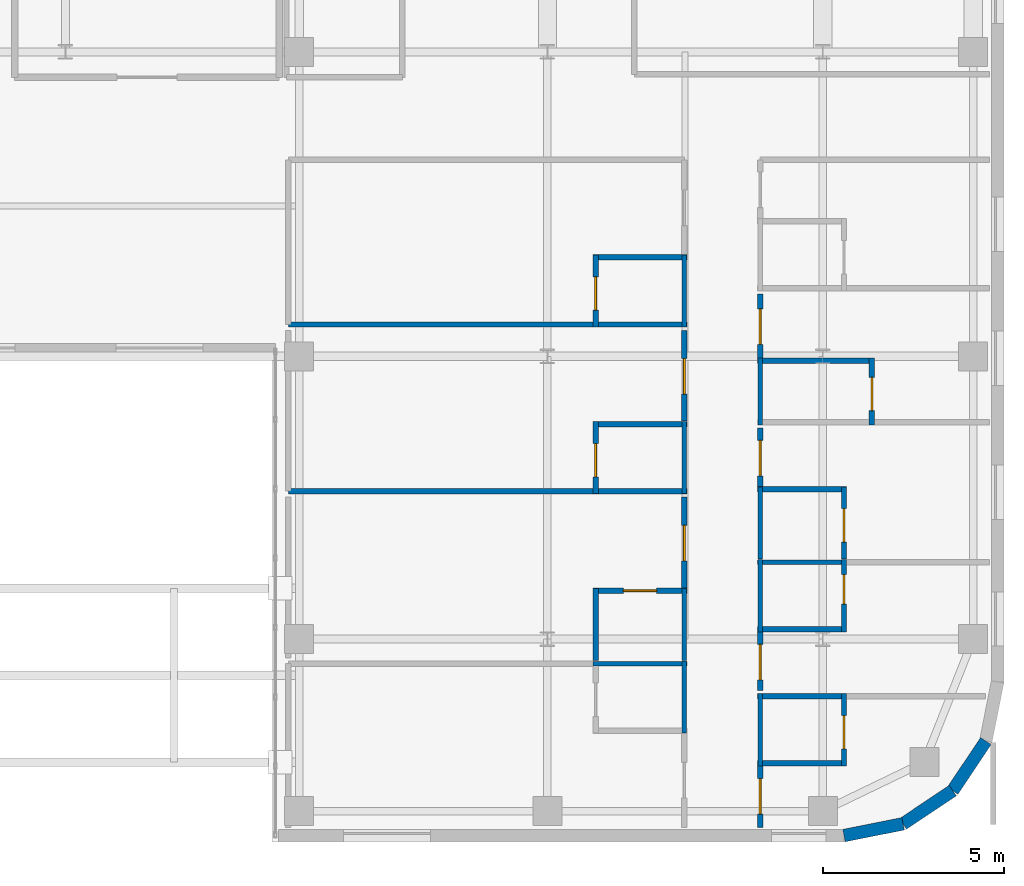
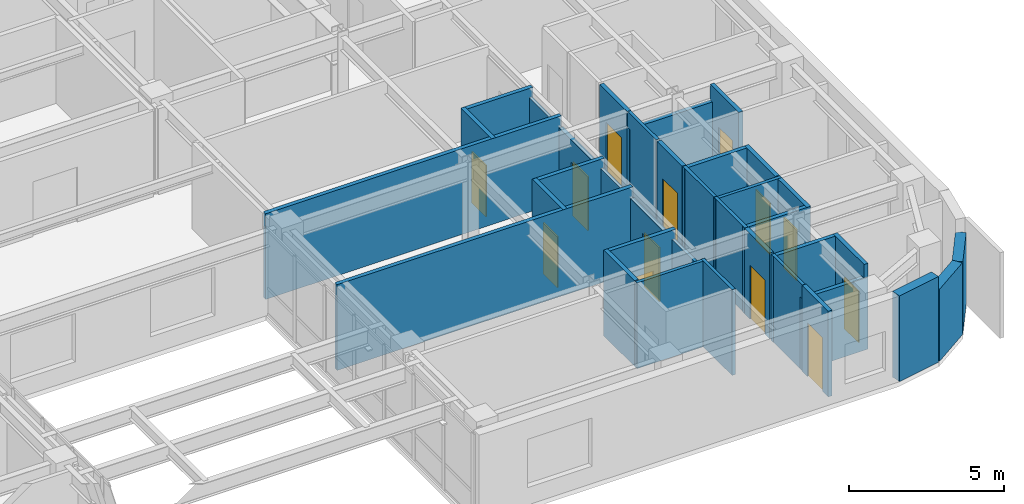
# One storey, part 10 of 15: 36 walls, 13 doors, 13 openings.
"""IFC4 building model written with IfcOpenShell, lengths in metres."""

from ifc_helpers import new_model, si_unit, direction, frame, frame_2d, origin, place, context, subcontext, project, spatial, rectangle, extrude, source, transform, mapped, material, layer, layer_set, type_object, type_shapes, element, fill, save


model = new_model("IFC4")

# Units and contexts
model_context = context("Model", 3, precision=1e-05, world=origin(), true_north=direction((0.0, 1.0)))
body_context = subcontext(model_context, "Body", "Model", "MODEL_VIEW")
ifc_project = project(units=[si_unit("LENGTHUNIT", "METRE"), si_unit("AREAUNIT", "SQUARE_METRE"), si_unit("VOLUMEUNIT", "CUBIC_METRE"), si_unit("PLANEANGLEUNIT", "RADIAN"), si_unit("MASSUNIT", "GRAM", prefix="KILO")], contexts=[model_context])

# Site, building, storey
site_placement = place(None, origin())
site = spatial("IfcSite", under=ifc_project, at=site_placement, CompositionType="ELEMENT")
building_placement = place(site_placement, origin())
building = spatial("IfcBuilding", under=site, at=building_placement, Name="Tolvann Quenvar Hotel", CompositionType="ELEMENT")
storey_placement = place(building_placement, frame((0.0, 0.0, 164.800048828125)))
storey = spatial("IfcBuildingStorey", under=building, at=storey_placement, Name="L43", CompositionType="ELEMENT", Elevation=164.800048828125)

# Walls
ifc_material_1 = material(Name="Kiln-fired red and buff architectural clay brickwork and terracotta masonry", Category="masonry")
ifc_layer_1 = layer(ifc_material_1, 0.35009765625)
ifc_layer_set_1 = layer_set([ifc_layer_1], Name="Kiln-fired red and buff architectural clay brickwork and terracotta masonry")
wall_type_1 = type_object("IfcWallType", Name="WALL_EXT_BRICK_350", PredefinedType="SOLIDWALL", material=ifc_layer_set_1)
wall_1_placement = place(storey_placement, frame((49.98291015625, 2.77490234375, 0.0), z_axis=(0.0, 0.0, 1.0), x_axis=(0.980788844421, 0.195072403631, 0.0)))
element("IfcWall", 1, at=wall_1_placement, inside=storey, type_object=wall_type_1, Name="Exterior Chicago Brick Wall L43-E09", PredefinedType="SOLIDWALL", context=body_context, shape_type="SweptSolid", body=[
    extrude(rectangle(XDim=1.66455078125, YDim=0.35009765625, at=frame_2d((0.832275390625, 0.0))), origin(), (0.0, 0.0, 1.0), 3.369873046875),
])
for number, where, z_axis, x_axis, name in (
    (2, (51.615478515625, 3.099609375, 0.0), (0.0, 0.0, 1.0), (0.831434158098, 0.555623290322, 0.0), "Exterior Chicago Brick Wall L43-E10"),
    (3, (52.985107421875, 4.014892578125, 0.0), (0.0, 0.0, 1.0), (0.555623290322, 0.831434158098, 0.0), "Exterior Chicago Brick Wall L43-E11"),
):
    element("IfcWall", number, at=place(storey_placement, frame(where, z_axis=z_axis, x_axis=x_axis)), inside=storey, type_object=wall_type_1, Name=name, PredefinedType="SOLIDWALL", context=body_context, shape_type="SweptSolid", body=[
        extrude(rectangle(XDim=1.647216796875, YDim=0.35009765625, at=frame_2d((0.82373046875, 0.0))), origin(), (0.0, 0.0, 1.0), 2.83203125),
    ])
ifc_material_2 = material(Name="Moisture-resistant acoustic plumbing wall assembly")
ifc_layer_2 = layer(ifc_material_2, 0.1201171875)
ifc_layer_set_2 = layer_set([ifc_layer_2], Name="Moisture-resistant acoustic plumbing wall assembly")
wall_type_2 = type_object("IfcWallType", Name="WALL_PART_BATH_120", PredefinedType="PLUMBINGWALL", material=ifc_layer_set_2)
wall_2_placement = place(storey_placement, frame((43.06005859375, 7.52001953125, 0.0), z_axis=(0.0, 0.0, 1.0), x_axis=(1.0, 0.0, 0.0)))
element("IfcWall", 4, at=wall_2_placement, inside=storey, type_object=wall_type_2, Name="Non-Rated Plumbing Partition PT-SPC-L43-ENS-EI01-N", PredefinedType="PLUMBINGWALL", context=body_context, shape_type="SweptSolid", body=[
    extrude(rectangle(XDim=2.58984375, YDim=0.1201171875, at=frame_2d((1.294921875, 0.0))), origin(), (0.0, 0.0, 1.0), 3.369873046875),
])
wall_3_placement = place(storey_placement, frame((45.580078125, 5.60009765625, 0.0), z_axis=(0.0, 0.0, 1.0), x_axis=(0.0, 1.0, 0.0)))
element("IfcWall", 5, at=wall_3_placement, inside=storey, type_object=wall_type_2, Name="Non-Rated Plumbing Partition PT-SPC-L43-ENS-EI01-E", PredefinedType="PLUMBINGWALL", context=body_context, shape_type="SweptSolid", body=[
    extrude(rectangle(XDim=1.989990234375, YDim=0.1201171875, at=frame_2d((0.9951171875, 0.0))), origin(), (0.0, 0.0, 1.0), 3.369873046875),
])
for number, where, z_axis, x_axis, name in (
    (6, (45.580078125, 7.610107421875, 0.0), (0.0, 0.0, 1.0), (0.0, 1.0, 0.0), "Non-Rated Plumbing Partition PT-SPC-L43-ENS-EI02-E"),
    (7, (45.580078125, 12.2099609375, 0.0), (0.0, 0.0, 1.0), (0.0, 1.0, 0.0), "Non-Rated Plumbing Partition PT-SPC-L43-ENS-EI03-E"),
    (8, (45.580078125, 16.81005859375, 0.0), (0.0, 0.0, 1.0), (0.0, 1.0, 0.0), "Non-Rated Plumbing Partition PT-SPC-L43-ENS-EI04-E"),
):
    element("IfcWall", number, at=place(storey_placement, frame(where, z_axis=z_axis, x_axis=x_axis)), inside=storey, type_object=wall_type_2, Name=name, PredefinedType="PLUMBINGWALL", context=body_context, shape_type="SweptSolid", body=[
        extrude(rectangle(XDim=1.989990234375, YDim=0.1201171875, at=frame_2d((0.9951171875, 0.0))), origin(), (0.0, 0.0, 1.0), 3.0009765625),
    ])
wall_4_placement = place(storey_placement, frame((47.669921875, 4.699951171875, 0.0), z_axis=(0.0, 0.0, 1.0), x_axis=(0.0, 1.0, 0.0)))
element("IfcWall", 9, at=wall_4_placement, inside=storey, type_object=wall_type_2, Name="Non-Rated Plumbing Partition PT-SPC-L43-ENS-EO01-W", PredefinedType="PLUMBINGWALL", context=body_context, shape_type="SweptSolid", body=[
    extrude(rectangle(XDim=1.989990234375, YDim=0.1201171875, at=frame_2d((0.9951171875, 0.0))), origin(), (0.0, 0.0, 1.0), 3.369873046875),
])
wall_5_placement = place(storey_placement, frame((47.60009765625, 10.320068359375, 0.0), z_axis=(0.0, 0.0, 1.0), x_axis=(1.0, 0.0, 0.0)))
element("IfcWall", 10, at=wall_5_placement, inside=storey, type_object=wall_type_2, Name="Non-Rated Plumbing Partition PT-SPC-L43-ENS-EO02-N", PredefinedType="PLUMBINGWALL", context=body_context, shape_type="SweptSolid", body=[
    extrude(rectangle(XDim=2.454833984375, YDim=0.1201171875, at=frame_2d((1.2275390625, 0.0))), origin(), (0.0, 0.0, 1.0), 3.369873046875),
])
for number, where, z_axis, x_axis, name in (
    (11, (47.669921875, 8.39990234375, 0.0), (0.0, 0.0, 1.0), (0.0, 1.0, 0.0), "Non-Rated Plumbing Partition PT-SPC-L43-ENS-EO02-W"),
    (12, (47.669921875, 10.409912109375, 0.0), (0.0, 0.0, 1.0), (0.0, 1.0, 0.0), "Non-Rated Plumbing Partition PT-SPC-L43-ENS-EO03-W"),
):
    element("IfcWall", number, at=place(storey_placement, frame(where, z_axis=z_axis, x_axis=x_axis)), inside=storey, type_object=wall_type_2, Name=name, PredefinedType="PLUMBINGWALL", context=body_context, shape_type="SweptSolid", body=[
        extrude(rectangle(XDim=1.989990234375, YDim=0.1201171875, at=frame_2d((0.9951171875, 0.0))), origin(), (0.0, 0.0, 1.0), 3.369873046875),
    ])
wall_6_placement = place(storey_placement, frame((47.669921875, 14.110107421875, 0.0), z_axis=(0.0, 0.0, 1.0), x_axis=(0.0, 1.0, 0.0)))
element("IfcWall", 13, at=wall_6_placement, inside=storey, type_object=wall_type_2, Name="Non-Rated Plumbing Partition PT-SPC-L43-ENS-EO04-W", PredefinedType="PLUMBINGWALL", context=body_context, shape_type="SweptSolid", body=[
    extrude(rectangle(XDim=1.8388671875, YDim=0.1201171875, at=frame_2d((0.91943359375, 0.0))), origin(), (0.0, 0.0, 1.0), 3.369873046875),
])
ifc_material_3 = material(Name="Acoustic twin-stud fire-rated gypsum plasterboard partition")
ifc_layer_3 = layer(ifc_material_3, 0.14990234375)
ifc_layer_set_3 = layer_set([ifc_layer_3], Name="Acoustic twin-stud fire-rated gypsum plasterboard partition")
wall_type_3 = type_object("IfcWallType", Name="WALL_PART_SUITE_150", PredefinedType="PARTITIONING", material=ifc_layer_set_3)
wall_7_placement = place(storey_placement, frame((43.1298828125, 7.610107421875, 0.0), z_axis=(0.0, 0.0, 1.0), x_axis=(0.0, 1.0, 0.0)))
element("IfcWall", 14, at=wall_7_placement, inside=storey, type_object=wall_type_3, Name="Interior Partition PT-SPC-L43-ENS-EI02-ENT", PredefinedType="PARTITIONING", context=body_context, shape_type="SweptSolid", body=[
    extrude(rectangle(XDim=1.989990234375, YDim=0.14990234375, at=frame_2d((0.9951171875, 0.0))), origin(), (0.0, 0.0, 1.0), 3.369873046875),
])

# Wall, opening, door
wall_8_placement = place(storey_placement, frame((43.06005859375, 9.530029296875, 0.0), z_axis=(0.0, 0.0, 1.0), x_axis=(1.0, 0.0, 0.0)))
wall_8 = element("IfcWall", 15, at=wall_8_placement, inside=storey, type_object=wall_type_3, Name="Interior Partition PT-SPC-L43-ENS-EI02-N", PredefinedType="PARTITIONING", context=body_context, shape_type="SweptSolid", body=[
    extrude(rectangle(XDim=2.58984375, YDim=0.14990234375, at=frame_2d((1.294921875, 0.0))), origin(), (0.0, 0.0, 1.0), 3.369873046875),
])
opening_1_placement = place(wall_8_placement, frame((0.8349609375, 0.0, 0.0)))
opening_1 = element("IfcOpeningElement", 16, at=opening_1_placement, cuts=wall_8, Name="Opening WD-01", PredefinedType="OPENING", context=body_context, shape_type="SweptSolid", body=[
    extrude(rectangle(XDim=0.919921875, YDim=2.010009765625, at=frame_2d((0.4599609375, 1.0048828125))), frame((0.0, 0.0849609375, 0.0), z_axis=(0.0, -1.0, 0.0), x_axis=(1.0, 0.0, 0.0)), (0.0, 0.0, 1.0), 0.169921875),
])
ifc_material_4 = material(Name="Solid-core American oak acoustic fire door leaf in steel frame", Category="steel")
door_type_1 = type_object("IfcDoorType", Name="DOOR_WC_920", OperationType="NOTDEFINED", PredefinedType="DOOR", material=ifc_material_4)
shared_shape_1 = source(origin(), body_context, "Body", "SweptSolid", [
    extrude(rectangle(XDim=0.919921875, YDim=2.010009765625, at=frame_2d((0.4599609375, 1.0048828125))), frame((0.0, 0.02490234375, 0.0), z_axis=(0.0, -1.0, 0.0), x_axis=(1.0, 0.0, 0.0)), (0.0, 0.0, 1.0), 0.050048828125),
])
type_shapes(door_type_1, [shared_shape_1])
door_1_placement = place(opening_1_placement, origin())
door_1 = element("IfcDoor", 17, at=door_1_placement, inside=storey, type_object=door_type_1, Name="Interior Door DOOR-SPC-L43-ENS-EI02", OperationType="SINGLE_SWING_LEFT", OverallHeight=2.010009765625, OverallWidth=0.919921875, PredefinedType="DOOR", context=body_context, shape_type="MappedRepresentation", body=[
    mapped(shared_shape_1, transform((0.0, 0.0, 0.0), x_axis=(1.0, 0.0, 0.0), y_axis=(0.0, 1.0, 0.0), z_axis=(0.0, 0.0, 1.0), scale=1.0)),
])
fill(opening_1, door_1)

wall_9_placement = place(storey_placement, frame((43.1298828125, 12.2099609375, 0.0), z_axis=(0.0, 0.0, 1.0), x_axis=(0.0, 1.0, 0.0)))
wall_9 = element("IfcWall", 18, at=wall_9_placement, inside=storey, type_object=wall_type_3, Name="Interior Partition PT-SPC-L43-ENS-EI03-ENT", PredefinedType="PARTITIONING", context=body_context, shape_type="SweptSolid", body=[
    extrude(rectangle(XDim=1.989990234375, YDim=0.14990234375, at=frame_2d((0.9951171875, 0.0))), origin(), (0.0, 0.0, 1.0), 3.369873046875),
])
opening_2_placement = place(wall_9_placement, frame((0.465087890625, 0.0, 0.0)))
opening_2 = element("IfcOpeningElement", 19, at=opening_2_placement, cuts=wall_9, Name="Opening WD-01", PredefinedType="OPENING", context=body_context, shape_type="SweptSolid", body=[
    extrude(rectangle(XDim=0.919921875, YDim=2.010009765625, at=frame_2d((0.4599609375, 1.0048828125))), frame((0.0, 0.0849609375, 0.0), z_axis=(0.0, -1.0, 0.0), x_axis=(1.0, 0.0, 0.0)), (0.0, 0.0, 1.0), 0.169921875),
])
door_2_placement = place(opening_2_placement, origin())
door_2 = element("IfcDoor", 20, at=door_2_placement, inside=storey, type_object=door_type_1, Name="Interior Door DOOR-SPC-L43-ENS-EI03", OperationType="SINGLE_SWING_RIGHT", OverallHeight=2.010009765625, OverallWidth=0.919921875, PredefinedType="DOOR", context=body_context, shape_type="MappedRepresentation", body=[
    mapped(shared_shape_1, transform((0.0, 0.0, 0.0), x_axis=(1.0, 0.0, 0.0), y_axis=(0.0, 1.0, 0.0), z_axis=(0.0, 0.0, 1.0), scale=1.0)),
])
fill(opening_2, door_2)

# Walls
wall_10_placement = place(storey_placement, frame((34.64990234375, 12.280029296875, 0.0), z_axis=(0.0, 0.0, 1.0), x_axis=(1.0, 0.0, 0.0)))
element("IfcWall", 21, at=wall_10_placement, inside=storey, type_object=wall_type_3, Name="Interior Partition PT-SPC-L43-ENS-EI03-S", PredefinedType="PARTITIONING", context=body_context, shape_type="SweptSolid", body=[
    extrude(rectangle(XDim=11.0, YDim=0.14990234375, at=frame_2d((5.5, 0.0))), origin(), (0.0, 0.0, 1.0), 3.369873046875),
])
wall_11_placement = place(storey_placement, frame((43.06005859375, 14.1298828125, 0.0), z_axis=(0.0, 0.0, 1.0), x_axis=(1.0, 0.0, 0.0)))
element("IfcWall", 22, at=wall_11_placement, inside=storey, type_object=wall_type_3, Name="Interior Partition PT-SPC-L43-ENS-EI03-N", PredefinedType="PARTITIONING", context=body_context, shape_type="SweptSolid", body=[
    extrude(rectangle(XDim=2.58984375, YDim=0.14990234375, at=frame_2d((1.294921875, 0.0))), origin(), (0.0, 0.0, 1.0), 3.369873046875),
])

# Wall, opening, door
wall_12_placement = place(storey_placement, frame((43.1298828125, 16.81005859375, 0.0), z_axis=(0.0, 0.0, 1.0), x_axis=(0.0, 1.0, 0.0)))
wall_12 = element("IfcWall", 23, at=wall_12_placement, inside=storey, type_object=wall_type_3, Name="Interior Partition PT-SPC-L43-ENS-EI04-ENT", PredefinedType="PARTITIONING", context=body_context, shape_type="SweptSolid", body=[
    extrude(rectangle(XDim=1.989990234375, YDim=0.14990234375, at=frame_2d((0.9951171875, 0.0))), origin(), (0.0, 0.0, 1.0), 3.369873046875),
])
opening_3_placement = place(wall_12_placement, frame((0.465087890625, 0.0, 0.0)))
opening_3 = element("IfcOpeningElement", 24, at=opening_3_placement, cuts=wall_12, Name="Opening WD-01", PredefinedType="OPENING", context=body_context, shape_type="SweptSolid", body=[
    extrude(rectangle(XDim=0.919921875, YDim=2.010009765625, at=frame_2d((0.4599609375, 1.0048828125))), frame((0.0, 0.0849609375, 0.0), z_axis=(0.0, -1.0, 0.0), x_axis=(1.0, 0.0, 0.0)), (0.0, 0.0, 1.0), 0.169921875),
])
door_3_placement = place(opening_3_placement, origin())
door_3 = element("IfcDoor", 25, at=door_3_placement, inside=storey, type_object=door_type_1, Name="Interior Door DOOR-SPC-L43-ENS-EI04", OperationType="SINGLE_SWING_LEFT", OverallHeight=2.010009765625, OverallWidth=0.919921875, PredefinedType="DOOR", context=body_context, shape_type="MappedRepresentation", body=[
    mapped(shared_shape_1, transform((0.0, 0.0, 0.0), x_axis=(1.0, 0.0, 0.0), y_axis=(0.0, 1.0, 0.0), z_axis=(0.0, 0.0, 1.0), scale=1.0)),
])
fill(opening_3, door_3)

# Walls
wall_13_placement = place(storey_placement, frame((34.64990234375, 16.8798828125, 0.0), z_axis=(0.0, 0.0, 1.0), x_axis=(1.0, 0.0, 0.0)))
element("IfcWall", 26, at=wall_13_placement, inside=storey, type_object=wall_type_3, Name="Interior Partition PT-SPC-L43-ENS-EI04-S", PredefinedType="PARTITIONING", context=body_context, shape_type="SweptSolid", body=[
    extrude(rectangle(XDim=11.0, YDim=0.14990234375, at=frame_2d((5.5, 0.0))), origin(), (0.0, 0.0, 1.0), 3.369873046875),
])
wall_14_placement = place(storey_placement, frame((43.06005859375, 18.72998046875, 0.0), z_axis=(0.0, 0.0, 1.0), x_axis=(1.0, 0.0, 0.0)))
element("IfcWall", 27, at=wall_14_placement, inside=storey, type_object=wall_type_3, Name="Interior Partition PT-SPC-L43-ENS-EI04-N", PredefinedType="PARTITIONING", context=body_context, shape_type="SweptSolid", body=[
    extrude(rectangle(XDim=2.58984375, YDim=0.14990234375, at=frame_2d((1.294921875, 0.0))), origin(), (0.0, 0.0, 1.0), 3.369873046875),
])

# Wall, opening, door
wall_15_placement = place(storey_placement, frame((49.985107421875, 4.699951171875, 0.0), z_axis=(0.0, 0.0, 1.0), x_axis=(0.0, 1.0, 0.0)))
wall_15 = element("IfcWall", 28, at=wall_15_placement, inside=storey, type_object=wall_type_3, Name="Interior Partition PT-SPC-L43-ENS-EO01-ENT", PredefinedType="PARTITIONING", context=body_context, shape_type="SweptSolid", body=[
    extrude(rectangle(XDim=1.989990234375, YDim=0.14990234375, at=frame_2d((0.9951171875, 0.0))), origin(), (0.0, 0.0, 1.0), 3.369873046875),
])
opening_4_placement = place(wall_15_placement, frame((0.465087890625, 0.0, 0.0)))
opening_4 = element("IfcOpeningElement", 29, at=opening_4_placement, cuts=wall_15, Name="Opening WD-01", PredefinedType="OPENING", context=body_context, shape_type="SweptSolid", body=[
    extrude(rectangle(XDim=0.919921875, YDim=2.010009765625, at=frame_2d((0.4599609375, 1.0048828125))), frame((0.0, 0.0849609375, 0.0), z_axis=(0.0, -1.0, 0.0), x_axis=(1.0, 0.0, 0.0)), (0.0, 0.0, 1.0), 0.169921875),
])
door_4_placement = place(opening_4_placement, origin())
door_4 = element("IfcDoor", 30, at=door_4_placement, inside=storey, type_object=door_type_1, Name="Interior Door DOOR-SPC-L43-ENS-EO01", OperationType="SINGLE_SWING_RIGHT", OverallHeight=2.010009765625, OverallWidth=0.919921875, PredefinedType="DOOR", context=body_context, shape_type="MappedRepresentation", body=[
    mapped(shared_shape_1, transform((0.0, 0.0, 0.0), x_axis=(1.0, 0.0, 0.0), y_axis=(0.0, 1.0, 0.0), z_axis=(0.0, 0.0, 1.0), scale=1.0)),
])
fill(opening_4, door_4)

# Walls
wall_16_placement = place(storey_placement, frame((47.60009765625, 4.77001953125, 0.0), z_axis=(0.0, 0.0, 1.0), x_axis=(1.0, 0.0, 0.0)))
element("IfcWall", 31, at=wall_16_placement, inside=storey, type_object=wall_type_3, Name="Interior Partition PT-SPC-L43-ENS-EO01-S", PredefinedType="PARTITIONING", context=body_context, shape_type="SweptSolid", body=[
    extrude(rectangle(XDim=2.454833984375, YDim=0.14990234375, at=frame_2d((1.2275390625, 0.0))), origin(), (0.0, 0.0, 1.0), 2.83203125),
])
wall_17_placement = place(storey_placement, frame((47.60009765625, 6.6201171875, 0.0), z_axis=(0.0, 0.0, 1.0), x_axis=(1.0, 0.0, 0.0)))
element("IfcWall", 32, at=wall_17_placement, inside=storey, type_object=wall_type_3, Name="Interior Partition PT-SPC-L43-ENS-EO01-N", PredefinedType="PARTITIONING", context=body_context, shape_type="SweptSolid", body=[
    extrude(rectangle(XDim=2.454833984375, YDim=0.14990234375, at=frame_2d((1.2275390625, 0.0))), origin(), (0.0, 0.0, 1.0), 3.369873046875),
])

# Wall, opening, door
wall_18_placement = place(storey_placement, frame((49.985107421875, 8.39990234375, 0.0), z_axis=(0.0, 0.0, 1.0), x_axis=(0.0, 1.0, 0.0)))
wall_18 = element("IfcWall", 33, at=wall_18_placement, inside=storey, type_object=wall_type_3, Name="Interior Partition PT-SPC-L43-ENS-EO02-ENT", PredefinedType="PARTITIONING", context=body_context, shape_type="SweptSolid", body=[
    extrude(rectangle(XDim=1.989990234375, YDim=0.14990234375, at=frame_2d((0.9951171875, 0.0))), origin(), (0.0, 0.0, 1.0), 3.369873046875),
])
opening_5_placement = place(wall_18_placement, frame((0.760009765625, 0.0, 0.0)))
opening_5 = element("IfcOpeningElement", 34, at=opening_5_placement, cuts=wall_18, Name="Opening HD-02", PredefinedType="OPENING", context=body_context, shape_type="SweptSolid", body=[
    extrude(rectangle(XDim=0.820068359375, YDim=2.010009765625, at=frame_2d((0.41015625, 1.0048828125))), frame((0.0, 0.0849609375, 0.0), z_axis=(0.0, -1.0, 0.0), x_axis=(1.0, 0.0, 0.0)), (0.0, 0.0, 1.0), 0.169921875),
])
ifc_material_5 = material(Name="Pressed galvanised steel fire-rated door set", Category="steel")
door_type_2 = type_object("IfcDoorType", Name="DOOR_STORE_820", OperationType="NOTDEFINED", PredefinedType="DOOR", material=ifc_material_5)
shared_shape_2 = source(origin(), body_context, "Body", "SweptSolid", [
    extrude(rectangle(XDim=0.820068359375, YDim=2.010009765625, at=frame_2d((0.41015625, 1.0048828125))), frame((0.0, 0.02490234375, 0.0), z_axis=(0.0, -1.0, 0.0), x_axis=(1.0, 0.0, 0.0)), (0.0, 0.0, 1.0), 0.050048828125),
])
type_shapes(door_type_2, [shared_shape_2])
door_5_placement = place(opening_5_placement, origin())
door_5 = element("IfcDoor", 35, at=door_5_placement, inside=storey, type_object=door_type_2, Name="Interior Door DOOR-SPC-L43-ENS-EO02", OperationType="SINGLE_SWING_LEFT", OverallHeight=2.010009765625, OverallWidth=0.820068359375, PredefinedType="DOOR", context=body_context, shape_type="MappedRepresentation", body=[
    mapped(shared_shape_2, transform((0.0, 0.0, 0.0), x_axis=(1.0, 0.0, 0.0), y_axis=(0.0, 1.0, 0.0), z_axis=(0.0, 0.0, 1.0), scale=1.0)),
])
fill(opening_5, door_5)

# Wall
wall_19_placement = place(storey_placement, frame((47.60009765625, 8.469970703125, 0.0), z_axis=(0.0, 0.0, 1.0), x_axis=(1.0, 0.0, 0.0)))
element("IfcWall", 36, at=wall_19_placement, inside=storey, type_object=wall_type_3, Name="Interior Partition PT-SPC-L43-ENS-EO02-S", PredefinedType="PARTITIONING", context=body_context, shape_type="SweptSolid", body=[
    extrude(rectangle(XDim=2.454833984375, YDim=0.14990234375, at=frame_2d((1.2275390625, 0.0))), origin(), (0.0, 0.0, 1.0), 3.369873046875),
])

# Wall, opening, door
wall_20_placement = place(storey_placement, frame((49.985107421875, 10.409912109375, 0.0), z_axis=(0.0, 0.0, 1.0), x_axis=(0.0, 1.0, 0.0)))
wall_20 = element("IfcWall", 37, at=wall_20_placement, inside=storey, type_object=wall_type_3, Name="Interior Partition PT-SPC-L43-ENS-EO03-ENT", PredefinedType="PARTITIONING", context=body_context, shape_type="SweptSolid", body=[
    extrude(rectangle(XDim=1.989990234375, YDim=0.14990234375, at=frame_2d((0.9951171875, 0.0))), origin(), (0.0, 0.0, 1.0), 3.369873046875),
])
opening_6_placement = place(wall_20_placement, frame((0.465087890625, 0.0, 0.0)))
opening_6 = element("IfcOpeningElement", 38, at=opening_6_placement, cuts=wall_20, Name="Opening WD-01", PredefinedType="OPENING", context=body_context, shape_type="SweptSolid", body=[
    extrude(rectangle(XDim=0.919921875, YDim=2.010009765625, at=frame_2d((0.4599609375, 1.0048828125))), frame((0.0, 0.0849609375, 0.0), z_axis=(0.0, -1.0, 0.0), x_axis=(1.0, 0.0, 0.0)), (0.0, 0.0, 1.0), 0.169921875),
])
door_6_placement = place(opening_6_placement, origin())
door_6 = element("IfcDoor", 39, at=door_6_placement, inside=storey, type_object=door_type_1, Name="Interior Door DOOR-SPC-L43-ENS-EO03", OperationType="SINGLE_SWING_RIGHT", OverallHeight=2.010009765625, OverallWidth=0.919921875, PredefinedType="DOOR", context=body_context, shape_type="MappedRepresentation", body=[
    mapped(shared_shape_1, transform((0.0, 0.0, 0.0), x_axis=(1.0, 0.0, 0.0), y_axis=(0.0, 1.0, 0.0), z_axis=(0.0, 0.0, 1.0), scale=1.0)),
])
fill(opening_6, door_6)

# Wall
wall_21_placement = place(storey_placement, frame((47.60009765625, 12.330078125, 0.0), z_axis=(0.0, 0.0, 1.0), x_axis=(1.0, 0.0, 0.0)))
element("IfcWall", 40, at=wall_21_placement, inside=storey, type_object=wall_type_3, Name="Interior Partition PT-SPC-L43-ENS-EO03-N", PredefinedType="PARTITIONING", context=body_context, shape_type="SweptSolid", body=[
    extrude(rectangle(XDim=2.454833984375, YDim=0.14990234375, at=frame_2d((1.2275390625, 0.0))), origin(), (0.0, 0.0, 1.0), 3.369873046875),
])

# Wall, opening, door
wall_22_placement = place(storey_placement, frame((50.756103515625, 14.110107421875, 0.0), z_axis=(0.0, 0.0, 1.0), x_axis=(0.0, 1.0, 0.0)))
wall_22 = element("IfcWall", 41, at=wall_22_placement, inside=storey, type_object=wall_type_3, Name="Interior Partition PT-SPC-L43-ENS-EO04-ENT", PredefinedType="PARTITIONING", context=body_context, shape_type="SweptSolid", body=[
    extrude(rectangle(XDim=1.8388671875, YDim=0.14990234375, at=frame_2d((0.91943359375, 0.0))), origin(), (0.0, 0.0, 1.0), 3.369873046875),
])
opening_7_placement = place(wall_22_placement, frame((0.389404296875, 0.0, 0.0)))
opening_7 = element("IfcOpeningElement", 42, at=opening_7_placement, cuts=wall_22, Name="Opening WD-01", PredefinedType="OPENING", context=body_context, shape_type="SweptSolid", body=[
    extrude(rectangle(XDim=0.919921875, YDim=2.010009765625, at=frame_2d((0.4599609375, 1.0048828125))), frame((0.0, 0.0849609375, 0.0), z_axis=(0.0, -1.0, 0.0), x_axis=(1.0, 0.0, 0.0)), (0.0, 0.0, 1.0), 0.169921875),
])
door_7_placement = place(opening_7_placement, origin())
door_7 = element("IfcDoor", 43, at=door_7_placement, inside=storey, type_object=door_type_1, Name="Interior Door DOOR-SPC-L43-ENS-EO04", OperationType="SINGLE_SWING_LEFT", OverallHeight=2.010009765625, OverallWidth=0.919921875, PredefinedType="DOOR", context=body_context, shape_type="MappedRepresentation", body=[
    mapped(shared_shape_1, transform((0.0, 0.0, 0.0), x_axis=(1.0, 0.0, 0.0), y_axis=(0.0, 1.0, 0.0), z_axis=(0.0, 0.0, 1.0), scale=1.0)),
])
fill(opening_7, door_7)

# Wall
wall_23_placement = place(storey_placement, frame((47.60009765625, 15.87890625, 0.0), z_axis=(0.0, 0.0, 1.0), x_axis=(1.0, 0.0, 0.0)))
element("IfcWall", 44, at=wall_23_placement, inside=storey, type_object=wall_type_3, Name="Interior Partition PT-SPC-L43-ENS-EO04-N", PredefinedType="PARTITIONING", context=body_context, shape_type="SweptSolid", body=[
    extrude(rectangle(XDim=3.225830078125, YDim=0.14990234375, at=frame_2d((1.61279296875, 0.0))), origin(), (0.0, 0.0, 1.0), 2.758056640625),
])

# Wall, opening, door
wall_24_placement = place(storey_placement, frame((45.580078125, 9.610107421875, 0.0), z_axis=(0.0, 0.0, 1.0), x_axis=(0.0, 1.0, 0.0)))
wall_24 = element("IfcWall", 45, at=wall_24_placement, inside=storey, type_object=wall_type_3, Name="Interior Partition PT-SPC-L43-RM-EI02-ENT", PredefinedType="PARTITIONING", context=body_context, shape_type="SweptSolid", body=[
    extrude(rectangle(XDim=2.510009765625, YDim=0.14990234375, at=frame_2d((1.2548828125, 0.0))), origin(), (0.0, 0.0, 1.0), 3.0009765625),
])
opening_8_placement = place(wall_24_placement, frame((0.7451171875, 0.0, 0.0)))
opening_8 = element("IfcOpeningElement", 46, at=opening_8_placement, cuts=wall_24, Name="Opening SD-01", PredefinedType="OPENING", context=body_context, shape_type="SweptSolid", body=[
    extrude(rectangle(XDim=0.97998046875, YDim=2.1201171875, at=frame_2d((0.489990234375, 1.06005859375))), frame((0.0, 0.0849609375, 0.0), z_axis=(0.0, -1.0, 0.0), x_axis=(1.0, 0.0, 0.0)), (0.0, 0.0, 1.0), 0.169921875),
])
door_type_3 = type_object("IfcDoorType", Name="DOOR_SUITE_980", OperationType="NOTDEFINED", PredefinedType="DOOR", material=ifc_material_4)
shared_shape_3 = source(origin(), body_context, "Body", "SweptSolid", [
    extrude(rectangle(XDim=0.97998046875, YDim=2.1201171875, at=frame_2d((0.489990234375, 1.06005859375))), frame((0.0, 0.02490234375, 0.0), z_axis=(0.0, -1.0, 0.0), x_axis=(1.0, 0.0, 0.0)), (0.0, 0.0, 1.0), 0.050048828125),
])
type_shapes(door_type_3, [shared_shape_3])
door_8_placement = place(opening_8_placement, origin())
door_8 = element("IfcDoor", 47, at=door_8_placement, inside=storey, type_object=door_type_3, Name="Interior Door DOOR-SPC-L43-RM-EI02", OperationType="SINGLE_SWING_LEFT", OverallHeight=2.1201171875, OverallWidth=0.97998046875, PredefinedType="DOOR", context=body_context, shape_type="MappedRepresentation", body=[
    mapped(shared_shape_3, transform((0.0, 0.0, 0.0), x_axis=(1.0, 0.0, 0.0), y_axis=(0.0, 1.0, 0.0), z_axis=(0.0, 0.0, 1.0), scale=1.0)),
])
fill(opening_8, door_8)

wall_25_placement = place(storey_placement, frame((45.580078125, 14.2099609375, 0.0), z_axis=(0.0, 0.0, 1.0), x_axis=(0.0, 1.0, 0.0)))
wall_25 = element("IfcWall", 48, at=wall_25_placement, inside=storey, type_object=wall_type_3, Name="Interior Partition PT-SPC-L43-RM-EI03-ENT", PredefinedType="PARTITIONING", context=body_context, shape_type="SweptSolid", body=[
    extrude(rectangle(XDim=2.510009765625, YDim=0.14990234375, at=frame_2d((1.2548828125, 0.0))), origin(), (0.0, 0.0, 1.0), 3.0009765625),
])
opening_9_placement = place(wall_25_placement, frame((0.7451171875, 0.0, 0.0)))
opening_9 = element("IfcOpeningElement", 49, at=opening_9_placement, cuts=wall_25, Name="Opening SD-01", PredefinedType="OPENING", context=body_context, shape_type="SweptSolid", body=[
    extrude(rectangle(XDim=0.97998046875, YDim=2.1201171875, at=frame_2d((0.489990234375, 1.06005859375))), frame((0.0, 0.0849609375, 0.0), z_axis=(0.0, -1.0, 0.0), x_axis=(1.0, 0.0, 0.0)), (0.0, 0.0, 1.0), 0.169921875),
])
door_9_placement = place(opening_9_placement, origin())
door_9 = element("IfcDoor", 50, at=door_9_placement, inside=storey, type_object=door_type_3, Name="Interior Door DOOR-SPC-L43-RM-EI03", OperationType="SINGLE_SWING_RIGHT", OverallHeight=2.1201171875, OverallWidth=0.97998046875, PredefinedType="DOOR", context=body_context, shape_type="MappedRepresentation", body=[
    mapped(shared_shape_3, transform((0.0, 0.0, 0.0), x_axis=(1.0, 0.0, 0.0), y_axis=(0.0, 1.0, 0.0), z_axis=(0.0, 0.0, 1.0), scale=1.0)),
])
fill(opening_9, door_9)

wall_26_placement = place(storey_placement, frame((47.669921875, 3.0048828125, 0.0), z_axis=(0.0, 0.0, 1.0), x_axis=(0.0, 1.0, 0.0)))
wall_26 = element("IfcWall", 51, at=wall_26_placement, inside=storey, type_object=wall_type_3, Name="Interior Partition PT-SPC-L43-RM-EO01-ENT", PredefinedType="PARTITIONING", context=body_context, shape_type="SweptSolid", body=[
    extrude(rectangle(XDim=1.68505859375, YDim=0.14990234375, at=frame_2d((0.842529296875, 0.0))), origin(), (0.0, 0.0, 1.0), 3.369873046875),
])
opening_10_placement = place(wall_26_placement, frame((0.360107421875, 0.0, 0.0)))
opening_10 = element("IfcOpeningElement", 52, at=opening_10_placement, cuts=wall_26, Name="Opening SD-01", PredefinedType="OPENING", context=body_context, shape_type="SweptSolid", body=[
    extrude(rectangle(XDim=0.97998046875, YDim=2.1201171875, at=frame_2d((0.489990234375, 1.06005859375))), frame((0.0, 0.0849609375, 0.0), z_axis=(0.0, -1.0, 0.0), x_axis=(1.0, 0.0, 0.0)), (0.0, 0.0, 1.0), 0.169921875),
])
door_10_placement = place(opening_10_placement, origin())
door_10 = element("IfcDoor", 53, at=door_10_placement, inside=storey, type_object=door_type_3, Name="Interior Door DOOR-SPC-L43-RM-EO01", OperationType="SINGLE_SWING_RIGHT", OverallHeight=2.1201171875, OverallWidth=0.97998046875, PredefinedType="DOOR", context=body_context, shape_type="MappedRepresentation", body=[
    mapped(shared_shape_3, transform((0.0, 0.0, 0.0), x_axis=(1.0, 0.0, 0.0), y_axis=(0.0, 1.0, 0.0), z_axis=(0.0, 0.0, 1.0), scale=1.0)),
])
fill(opening_10, door_10)

wall_27_placement = place(storey_placement, frame((47.669921875, 6.780029296875, 0.0), z_axis=(0.0, 0.0, 1.0), x_axis=(0.0, 1.0, 0.0)))
wall_27 = element("IfcWall", 54, at=wall_27_placement, inside=storey, type_object=wall_type_3, Name="Interior Partition PT-SPC-L43-RM-EO02-ENT", PredefinedType="PARTITIONING", context=body_context, shape_type="SweptSolid", body=[
    extrude(rectangle(XDim=1.60986328125, YDim=0.14990234375, at=frame_2d((0.804931640625, 0.0))), origin(), (0.0, 0.0, 1.0), 3.369873046875),
])
opening_11_placement = place(wall_27_placement, frame((0.294921875, 0.0, 0.0)))
opening_11 = element("IfcOpeningElement", 55, at=opening_11_placement, cuts=wall_27, Name="Opening SD-01", PredefinedType="OPENING", context=body_context, shape_type="SweptSolid", body=[
    extrude(rectangle(XDim=0.97998046875, YDim=2.1201171875, at=frame_2d((0.489990234375, 1.06005859375))), frame((0.0, 0.0849609375, 0.0), z_axis=(0.0, -1.0, 0.0), x_axis=(1.0, 0.0, 0.0)), (0.0, 0.0, 1.0), 0.169921875),
])
door_11_placement = place(opening_11_placement, origin())
door_11 = element("IfcDoor", 56, at=door_11_placement, inside=storey, type_object=door_type_3, Name="Interior Door DOOR-SPC-L43-RM-EO02", OperationType="SINGLE_SWING_LEFT", OverallHeight=2.1201171875, OverallWidth=0.97998046875, PredefinedType="DOOR", context=body_context, shape_type="MappedRepresentation", body=[
    mapped(shared_shape_3, transform((0.0, 0.0, 0.0), x_axis=(1.0, 0.0, 0.0), y_axis=(0.0, 1.0, 0.0), z_axis=(0.0, 0.0, 1.0), scale=1.0)),
])
fill(opening_11, door_11)

wall_28_placement = place(storey_placement, frame((47.669921875, 12.409912109375, 0.0), z_axis=(0.0, 0.0, 1.0), x_axis=(0.0, 1.0, 0.0)))
wall_28 = element("IfcWall", 57, at=wall_28_placement, inside=storey, type_object=wall_type_3, Name="Interior Partition PT-SPC-L43-RM-EO03-ENT", PredefinedType="PARTITIONING", context=body_context, shape_type="SweptSolid", body=[
    extrude(rectangle(XDim=1.610107421875, YDim=0.14990234375, at=frame_2d((0.80517578125, 0.0))), origin(), (0.0, 0.0, 1.0), 3.369873046875),
])
opening_12_placement = place(wall_28_placement, frame((0.294921875, 0.0, 0.0)))
opening_12 = element("IfcOpeningElement", 58, at=opening_12_placement, cuts=wall_28, Name="Opening SD-01", PredefinedType="OPENING", context=body_context, shape_type="SweptSolid", body=[
    extrude(rectangle(XDim=0.97998046875, YDim=2.1201171875, at=frame_2d((0.489990234375, 1.06005859375))), frame((0.0, 0.0849609375, 0.0), z_axis=(0.0, -1.0, 0.0), x_axis=(1.0, 0.0, 0.0)), (0.0, 0.0, 1.0), 0.169921875),
])
door_12_placement = place(opening_12_placement, origin())
door_12 = element("IfcDoor", 59, at=door_12_placement, inside=storey, type_object=door_type_3, Name="Interior Door DOOR-SPC-L43-RM-EO03", OperationType="SINGLE_SWING_RIGHT", OverallHeight=2.1201171875, OverallWidth=0.97998046875, PredefinedType="DOOR", context=body_context, shape_type="MappedRepresentation", body=[
    mapped(shared_shape_3, transform((0.0, 0.0, 0.0), x_axis=(1.0, 0.0, 0.0), y_axis=(0.0, 1.0, 0.0), z_axis=(0.0, 0.0, 1.0), scale=1.0)),
])
fill(opening_12, door_12)

wall_29_placement = place(storey_placement, frame((47.669921875, 15.958984375, 0.0), z_axis=(0.0, 0.0, 1.0), x_axis=(0.0, 1.0, 0.0)))
wall_29 = element("IfcWall", 60, at=wall_29_placement, inside=storey, type_object=wall_type_3, Name="Interior Partition PT-SPC-L43-RM-EO04-ENT", PredefinedType="PARTITIONING", context=body_context, shape_type="SweptSolid", body=[
    extrude(rectangle(XDim=1.760986328125, YDim=0.14990234375, at=frame_2d((0.88037109375, 0.0))), origin(), (0.0, 0.0, 1.0), 3.369873046875),
])
opening_13_placement = place(wall_29_placement, frame((0.37060546875, 0.0, 0.0)))
opening_13 = element("IfcOpeningElement", 61, at=opening_13_placement, cuts=wall_29, Name="Opening SD-01", PredefinedType="OPENING", context=body_context, shape_type="SweptSolid", body=[
    extrude(rectangle(XDim=0.97998046875, YDim=2.1201171875, at=frame_2d((0.489990234375, 1.06005859375))), frame((0.0, 0.0849609375, 0.0), z_axis=(0.0, -1.0, 0.0), x_axis=(1.0, 0.0, 0.0)), (0.0, 0.0, 1.0), 0.169921875),
])
door_13_placement = place(opening_13_placement, origin())
door_13 = element("IfcDoor", 62, at=door_13_placement, inside=storey, type_object=door_type_3, Name="Interior Door DOOR-SPC-L43-RM-EO04", OperationType="SINGLE_SWING_LEFT", OverallHeight=2.1201171875, OverallWidth=0.97998046875, PredefinedType="DOOR", context=body_context, shape_type="MappedRepresentation", body=[
    mapped(shared_shape_3, transform((0.0, 0.0, 0.0), x_axis=(1.0, 0.0, 0.0), y_axis=(0.0, 1.0, 0.0), z_axis=(0.0, 0.0, 1.0), scale=1.0)),
])
fill(opening_13, door_13)

save(model, "model.ifc")
